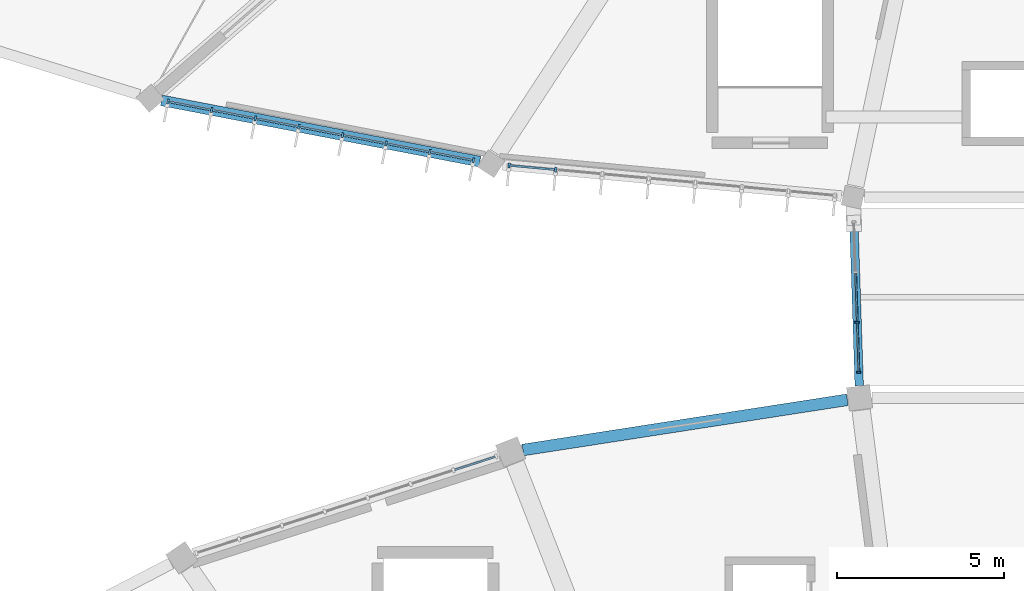
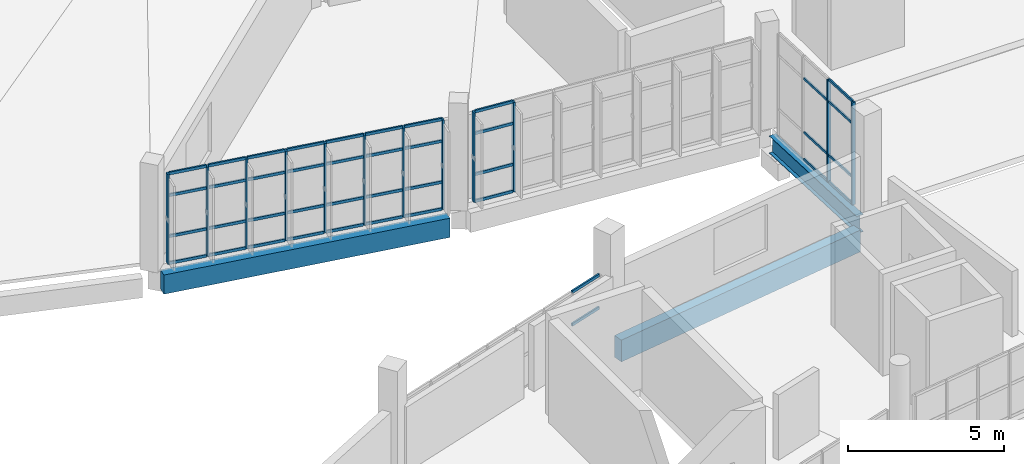
# One storey, part 30 of 142: 53 members, 3 beams, 4 elements without a shape of their own.
"""IFC4 building model written with IfcOpenShell, lengths in metres."""

from ifc_helpers import new_model, si_unit, direction, frame, origin, origin_2d, place, context, subcontext, project, spatial, rectangle, i_section, extrude, material, layer, layer_set, material_profile, profile_set, type_object, element, aggregate, save


model = new_model("IFC4")

# Units and contexts
model_context = context("Model", 3, precision=1e-05, world=origin(), true_north=direction((0.0, 1.0)))
body_context = subcontext(model_context, "Body", "Model", "MODEL_VIEW")
ifc_project = project(units=[si_unit("LENGTHUNIT", "METRE"), si_unit("AREAUNIT", "SQUARE_METRE"), si_unit("VOLUMEUNIT", "CUBIC_METRE"), si_unit("PLANEANGLEUNIT", "RADIAN"), si_unit("MASSUNIT", "GRAM", prefix="KILO")], contexts=[model_context])

# Site, building, storey
site_placement = place(None, origin())
site = spatial("IfcSite", under=ifc_project, at=site_placement, CompositionType="ELEMENT")
building_placement = place(site_placement, origin())
building = spatial("IfcBuilding", under=site, at=building_placement, Name="Corvandel Quay Wholesale Market", CompositionType="ELEMENT")
storey_placement = place(building_placement, frame((0.0, 0.0, 10.800048828125)))
storey = spatial("IfcBuildingStorey", under=building, at=storey_placement, Name="L02", CompositionType="ELEMENT", Elevation=10.800048828125)

# Beam
ifc_material_1 = material(Name="Steel A992 Grade 50", Category="steel")
ifc_material_profile_1 = material_profile(ifc_material_1, i_section(OverallWidth=0.25390625, OverallDepth=0.68310546875, WebThickness=0.012451171875, FlangeThickness=0.018798828125, at=origin_2d()), Name="W27X94")
ifc_profile_set_1 = profile_set([ifc_material_profile_1], Name="Steel A992 Grade 50")
beam_type_1 = type_object("IfcBeamType", Name="Bridge Link Steel Girder SG01 W27X94", PredefinedType="USERDEFINED", material=ifc_profile_set_1)
beam_1_placement = place(storey_placement, frame((108.6689453125, 84.36474609375, -0.5615234375), z_axis=(-0.032808515394, 0.999461655752, 0.0), x_axis=(-0.999461655752, -0.032808515394, 0.0)))
element("IfcBeam", 1, at=beam_1_placement, inside=storey, type_object=beam_type_1, Name="Beam BM-1767", ObjectType="GIRDER", PredefinedType="USERDEFINED", context=body_context, shape_type="SweptSolid", body=[
    extrude(i_section(OverallWidth=0.25390625, OverallDepth=0.68310546875, WebThickness=0.012451171875, FlangeThickness=0.018798828125, at=origin_2d()), origin(), (0.0, 0.0, 1.0), 5.29833984375),
])

# Curtain wall, members
ifc_material_2 = material(Name="Bronze anodised aluminium and low-E insulated glazing", Category="aluminium")
ifc_layer_1 = layer(ifc_material_2, 0.18603515625)
ifc_layer_set_1 = layer_set([ifc_layer_1], Name="Bronze anodised aluminium and low-E insulated glazing")
curtain_wall_type_1 = type_object("IfcCurtainWallType", Name="Stick Curtain Wall System CW23 H5070", PredefinedType="NOTDEFINED", material=ifc_layer_set_1)
curtain_wall_1_placement = place(storey_placement, origin())
curtain_wall_1 = element("IfcCurtainWall", 2, at=curtain_wall_1_placement, inside=storey, type_object=curtain_wall_type_1, Name="Curtain Wall CW-0170", PredefinedType="NOTDEFINED")
ifc_material_3 = material(Name="Anodised aluminium 6063-T6", Category="aluminium")
ifc_material_profile_2 = material_profile(ifc_material_3, rectangle(XDim=0.06005859375, YDim=0.1298828125, at=origin_2d()), Name="ALU-MUL-60x130")
ifc_profile_set_2 = profile_set([ifc_material_profile_2], Name="Anodised aluminium 6063-T6")
member_type_1 = type_object("IfcMemberType", Name="Clerestory Mullion ML03 60x130", PredefinedType="MULLION", material=ifc_profile_set_2)
member_1_placement = place(storey_placement, frame((108.656005859375, 84.7646484375, -0.030029296875), z_axis=(0.0, 0.0, 1.0), x_axis=(-0.032806302436, 0.999461728392, 0.0)))
member_1 = element("IfcMember", 3, at=member_1_placement, type_object=member_type_1, Name="Mullion CW-0170-M00", PredefinedType="MULLION", context=body_context, shape_type="SweptSolid", body=[
    extrude(rectangle(XDim=0.06005859375, YDim=0.1298828125, at=origin_2d()), origin(), (0.0, 0.0, 1.0), 4.0),
])
member_2_placement = place(storey_placement, frame((108.606689453125, 86.26318359375, -0.030029296875), z_axis=(0.0, 0.0, 1.0), x_axis=(-0.032806302436, 0.999461728392, 0.0)))
member_2 = element("IfcMember", 4, at=member_2_placement, type_object=member_type_1, Name="Mullion CW-0170-M01", PredefinedType="MULLION", context=body_context, shape_type="SweptSolid", body=[
    extrude(rectangle(XDim=0.06005859375, YDim=0.1298828125, at=origin_2d()), origin(), (0.0, 0.0, 1.0), 4.0),
])
ifc_material_profile_3 = material_profile(ifc_material_3, rectangle(XDim=0.054931640625, YDim=0.094970703125, at=origin_2d()), Name="ALU-TRN-55x95")
ifc_profile_set_3 = profile_set([ifc_material_profile_3], Name="Anodised aluminium 6063-T6")
member_type_2 = type_object("IfcMemberType", Name="Clerestory Transom TR03 55x95", PredefinedType="USERDEFINED", material=ifc_profile_set_3)
member_3_placement = place(storey_placement, frame((108.65478515625, 84.794677734375, -0.030029296875), z_axis=(-0.032738720515, 0.999463944412, 0.0), x_axis=(-0.999463944412, -0.032738720515, 0.0)))
member_3 = element("IfcMember", 5, at=member_3_placement, type_object=member_type_2, Name="Transom CW-0170-T00-0", ObjectType="TRANSOM", PredefinedType="USERDEFINED", context=body_context, shape_type="SweptSolid", body=[
    extrude(rectangle(XDim=0.054931640625, YDim=0.094970703125, at=origin_2d()), origin(), (0.0, 0.0, 1.0), 1.439208984375),
])
member_4_placement = place(storey_placement, frame((108.65478515625, 84.794677734375, 1.02001953125), z_axis=(-0.032738720515, 0.999463944412, 0.0), x_axis=(-0.999463944412, -0.032738720515, 0.0)))
member_4 = element("IfcMember", 6, at=member_4_placement, type_object=member_type_2, Name="Transom CW-0170-T00-1", ObjectType="TRANSOM", PredefinedType="USERDEFINED", context=body_context, shape_type="SweptSolid", body=[
    extrude(rectangle(XDim=0.054931640625, YDim=0.094970703125, at=origin_2d()), origin(), (0.0, 0.0, 1.0), 1.439208984375),
])
member_5_placement = place(storey_placement, frame((108.65478515625, 84.794677734375, 3.119873046875), z_axis=(-0.032738720515, 0.999463944412, 0.0), x_axis=(-0.999463944412, -0.032738720515, 0.0)))
member_5 = element("IfcMember", 7, at=member_5_placement, type_object=member_type_2, Name="Transom CW-0170-T00-2", ObjectType="TRANSOM", PredefinedType="USERDEFINED", context=body_context, shape_type="SweptSolid", body=[
    extrude(rectangle(XDim=0.054931640625, YDim=0.094970703125, at=origin_2d()), origin(), (0.0, 0.0, 1.0), 1.439208984375),
])
member_6_placement = place(storey_placement, frame((108.65478515625, 84.794677734375, 3.969970703125), z_axis=(-0.032738720515, 0.999463944412, 0.0), x_axis=(-0.999463944412, -0.032738720515, 0.0)))
member_6 = element("IfcMember", 8, at=member_6_placement, type_object=member_type_2, Name="Transom CW-0170-T00-3", ObjectType="TRANSOM", PredefinedType="USERDEFINED", context=body_context, shape_type="SweptSolid", body=[
    extrude(rectangle(XDim=0.054931640625, YDim=0.094970703125, at=origin_2d()), origin(), (0.0, 0.0, 1.0), 1.439208984375),
])
member_7_placement = place(storey_placement, frame((108.605712890625, 86.293212890625, -0.030029296875), z_axis=(-0.032738720515, 0.999463944412, 0.0), x_axis=(-0.999463944412, -0.032738720515, 0.0)))
member_7 = element("IfcMember", 9, at=member_7_placement, type_object=member_type_2, Name="Transom CW-0170-T01-0", ObjectType="TRANSOM", PredefinedType="USERDEFINED", context=body_context, shape_type="SweptSolid", body=[
    extrude(rectangle(XDim=0.054931640625, YDim=0.094970703125, at=origin_2d()), origin(), (0.0, 0.0, 1.0), 1.439208984375),
])
member_8_placement = place(storey_placement, frame((108.605712890625, 86.293212890625, 1.02001953125), z_axis=(-0.032738720515, 0.999463944412, 0.0), x_axis=(-0.999463944412, -0.032738720515, 0.0)))
member_8 = element("IfcMember", 10, at=member_8_placement, type_object=member_type_2, Name="Transom CW-0170-T01-1", ObjectType="TRANSOM", PredefinedType="USERDEFINED", context=body_context, shape_type="SweptSolid", body=[
    extrude(rectangle(XDim=0.054931640625, YDim=0.094970703125, at=origin_2d()), origin(), (0.0, 0.0, 1.0), 1.439208984375),
])
member_9_placement = place(storey_placement, frame((108.605712890625, 86.293212890625, 3.119873046875), z_axis=(-0.032738720515, 0.999463944412, 0.0), x_axis=(-0.999463944412, -0.032738720515, 0.0)))
member_9 = element("IfcMember", 11, at=member_9_placement, type_object=member_type_2, Name="Transom CW-0170-T01-2", ObjectType="TRANSOM", PredefinedType="USERDEFINED", context=body_context, shape_type="SweptSolid", body=[
    extrude(rectangle(XDim=0.054931640625, YDim=0.094970703125, at=origin_2d()), origin(), (0.0, 0.0, 1.0), 1.439208984375),
])
aggregate(curtain_wall_1, [member_1, member_2, member_3, member_4, member_5, member_6, member_7, member_8, member_9])

ifc_layer_2 = layer(ifc_material_2, 0.197998046875)
ifc_layer_set_2 = layer_set([ifc_layer_2], Name="Bronze anodised aluminium and low-E insulated glazing")
curtain_wall_type_2 = type_object("IfcCurtainWallType", Name="Stick Curtain Wall System CW04 H3360", PredefinedType="NOTDEFINED", material=ifc_layer_set_2)
curtain_wall_2_placement = place(storey_placement, origin())
curtain_wall_2 = element("IfcCurtainWall", 12, at=curtain_wall_2_placement, inside=storey, type_object=curtain_wall_type_2, Name="Curtain Wall CW-0110", PredefinedType="NOTDEFINED")
ifc_material_profile_4 = material_profile(ifc_material_3, rectangle(XDim=0.06494140625, YDim=0.14990234375, at=origin_2d()), Name="ALU-MUL-65x150")
ifc_profile_set_4 = profile_set([ifc_material_profile_4], Name="Anodised aluminium 6063-T6")
member_type_3 = type_object("IfcMemberType", Name="Curtain Wall Mullion ML02 65x150", PredefinedType="MULLION", material=ifc_profile_set_4)
member_10_placement = place(storey_placement, frame((88.00439453125, 92.85693359375, 0.0), z_axis=(0.0, 0.0, 1.0), x_axis=(-0.981991701121, 0.188924055984, 0.0)))
member_10 = element("IfcMember", 13, at=member_10_placement, type_object=member_type_3, Name="Mullion CW-0110-M00", PredefinedType="MULLION", context=body_context, shape_type="SweptSolid", body=[
    extrude(rectangle(XDim=0.06494140625, YDim=0.14990234375, at=origin_2d()), origin(), (0.0, 0.0, 1.0), 3.5),
])
member_11_placement = place(storey_placement, frame((89.30859375, 92.606201171875, 0.0), z_axis=(0.0, 0.0, 1.0), x_axis=(-0.981991701121, 0.188924055984, 0.0)))
member_11 = element("IfcMember", 14, at=member_11_placement, type_object=member_type_3, Name="Mullion CW-0110-M01", PredefinedType="MULLION", context=body_context, shape_type="SweptSolid", body=[
    extrude(rectangle(XDim=0.06494140625, YDim=0.14990234375, at=origin_2d()), origin(), (0.0, 0.0, 1.0), 3.5),
])
member_12_placement = place(storey_placement, frame((90.613037109375, 92.355224609375, 0.0), z_axis=(0.0, 0.0, 1.0), x_axis=(-0.981991701121, 0.188924055984, 0.0)))
member_12 = element("IfcMember", 15, at=member_12_placement, type_object=member_type_3, Name="Mullion CW-0110-M02", PredefinedType="MULLION", context=body_context, shape_type="SweptSolid", body=[
    extrude(rectangle(XDim=0.06494140625, YDim=0.14990234375, at=origin_2d()), origin(), (0.0, 0.0, 1.0), 3.5),
])
member_13_placement = place(storey_placement, frame((91.917236328125, 92.1044921875, 0.0), z_axis=(0.0, 0.0, 1.0), x_axis=(-0.981991701121, 0.188924055984, 0.0)))
member_13 = element("IfcMember", 16, at=member_13_placement, type_object=member_type_3, Name="Mullion CW-0110-M03", PredefinedType="MULLION", context=body_context, shape_type="SweptSolid", body=[
    extrude(rectangle(XDim=0.06494140625, YDim=0.14990234375, at=origin_2d()), origin(), (0.0, 0.0, 1.0), 3.5),
])
member_14_placement = place(storey_placement, frame((93.2216796875, 91.853515625, 0.0), z_axis=(0.0, 0.0, 1.0), x_axis=(-0.981991701121, 0.188924055984, 0.0)))
member_14 = element("IfcMember", 17, at=member_14_placement, type_object=member_type_3, Name="Mullion CW-0110-M04", PredefinedType="MULLION", context=body_context, shape_type="SweptSolid", body=[
    extrude(rectangle(XDim=0.06494140625, YDim=0.14990234375, at=origin_2d()), origin(), (0.0, 0.0, 1.0), 3.5),
])
member_15_placement = place(storey_placement, frame((94.52587890625, 91.602783203125, 0.0), z_axis=(0.0, 0.0, 1.0), x_axis=(-0.981991701121, 0.188924055984, 0.0)))
member_15 = element("IfcMember", 18, at=member_15_placement, type_object=member_type_3, Name="Mullion CW-0110-M05", PredefinedType="MULLION", context=body_context, shape_type="SweptSolid", body=[
    extrude(rectangle(XDim=0.06494140625, YDim=0.14990234375, at=origin_2d()), origin(), (0.0, 0.0, 1.0), 3.5),
])
member_16_placement = place(storey_placement, frame((95.830322265625, 91.351806640625, 0.0), z_axis=(0.0, 0.0, 1.0), x_axis=(-0.981991701121, 0.188924055984, 0.0)))
member_16 = element("IfcMember", 19, at=member_16_placement, type_object=member_type_3, Name="Mullion CW-0110-M06", PredefinedType="MULLION", context=body_context, shape_type="SweptSolid", body=[
    extrude(rectangle(XDim=0.06494140625, YDim=0.14990234375, at=origin_2d()), origin(), (0.0, 0.0, 1.0), 3.5),
])
member_17_placement = place(storey_placement, frame((97.134765625, 91.10107421875, 0.0), z_axis=(0.0, 0.0, 1.0), x_axis=(-0.981991701121, 0.188924055984, 0.0)))
member_17 = element("IfcMember", 20, at=member_17_placement, type_object=member_type_3, Name="Mullion CW-0110-M07", PredefinedType="MULLION", context=body_context, shape_type="SweptSolid", body=[
    extrude(rectangle(XDim=0.06494140625, YDim=0.14990234375, at=origin_2d()), origin(), (0.0, 0.0, 1.0), 3.5),
])

ifc_layer_3 = layer(ifc_material_2, 0.14990234375)
ifc_layer_set_3 = layer_set([ifc_layer_3], Name="Bronze anodised aluminium and low-E insulated glazing")
curtain_wall_type_3 = type_object("IfcCurtainWallType", Name="Stick Curtain Wall System CW05 H3450", PredefinedType="NOTDEFINED", material=ifc_layer_set_3)
curtain_wall_3_placement = place(storey_placement, origin())
curtain_wall_3 = element("IfcCurtainWall", 21, at=curtain_wall_3_placement, inside=storey, type_object=curtain_wall_type_3, Name="Curtain Wall CW-0113", PredefinedType="NOTDEFINED")
member_18_placement = place(storey_placement, frame((98.20263671875, 90.94921875, 0.0), z_axis=(0.0, 0.0, 1.0), x_axis=(-0.995756880939, 0.092023008338, 0.0)))
member_18 = element("IfcMember", 22, at=member_18_placement, type_object=member_type_3, Name="Mullion CW-0113-M00", PredefinedType="MULLION", context=body_context, shape_type="SweptSolid", body=[
    extrude(rectangle(XDim=0.06494140625, YDim=0.14990234375, at=origin_2d()), origin(), (0.0, 0.0, 1.0), 3.5),
])
member_19_placement = place(storey_placement, frame((99.594482421875, 90.82080078125, 0.0), z_axis=(0.0, 0.0, 1.0), x_axis=(-0.995756880939, 0.092023008338, 0.0)))
member_19 = element("IfcMember", 23, at=member_19_placement, type_object=member_type_3, Name="Mullion CW-0113-M01", PredefinedType="MULLION", context=body_context, shape_type="SweptSolid", body=[
    extrude(rectangle(XDim=0.06494140625, YDim=0.14990234375, at=origin_2d()), origin(), (0.0, 0.0, 1.0), 3.5),
])

ifc_layer_4 = layer(ifc_material_2, 0.18603515625)
ifc_layer_set_4 = layer_set([ifc_layer_4], Name="Bronze anodised aluminium and low-E insulated glazing")
curtain_wall_type_4 = type_object("IfcCurtainWallType", Name="Stick Curtain Wall System CW18 H4620", PredefinedType="NOTDEFINED", material=ifc_layer_set_4)
curtain_wall_4_placement = place(storey_placement, origin())
curtain_wall_4 = element("IfcCurtainWall", 24, at=curtain_wall_4_placement, inside=storey, type_object=curtain_wall_type_4, Name="Curtain Wall CW-0027", PredefinedType="NOTDEFINED")
ifc_material_profile_5 = material_profile(ifc_material_3, rectangle(XDim=0.06005859375, YDim=0.110107421875, at=origin_2d()), Name="ALU-TRN-60x110")
ifc_profile_set_5 = profile_set([ifc_material_profile_5], Name="Anodised aluminium 6063-T6")
member_type_4 = type_object("IfcMemberType", Name="Curtain Wall Transom TR02 60x110", PredefinedType="USERDEFINED", material=ifc_profile_set_5)
member_20_placement = place(storey_placement, frame((97.789794921875, 82.238037109375, 1.27490234375), z_axis=(-0.951853962221, -0.30655184652, 0.0), x_axis=(0.30655184652, -0.951853962221, 0.0)))
member_20 = element("IfcMember", 25, at=member_20_placement, type_object=member_type_4, Name="Transom CW-0027-T00-1", ObjectType="TRANSOM", PredefinedType="USERDEFINED", context=body_context, shape_type="SweptSolid", body=[
    extrude(rectangle(XDim=0.06005859375, YDim=0.110107421875, at=origin_2d()), origin(), (0.0, 0.0, 1.0), 1.281494140625),
])
member_21_placement = place(storey_placement, frame((97.789794921875, 82.238037109375, 2.550048828125), z_axis=(-0.951853962221, -0.30655184652, 0.0), x_axis=(0.30655184652, -0.951853962221, 0.0)))
member_21 = element("IfcMember", 26, at=member_21_placement, type_object=member_type_4, Name="Transom CW-0027-T00-2", ObjectType="TRANSOM", PredefinedType="USERDEFINED", context=body_context, shape_type="SweptSolid", body=[
    extrude(rectangle(XDim=0.06005859375, YDim=0.110107421875, at=origin_2d()), origin(), (0.0, 0.0, 1.0), 1.281494140625),
])
aggregate(curtain_wall_4, [member_20, member_21])

# Member
member_22_placement = place(storey_placement, frame((88.0361328125, 92.850830078125, 0.0), z_axis=(0.982010582361, -0.188825888401, 0.0), x_axis=(0.188825888401, 0.982010582361, 0.0)))
member_22 = element("IfcMember", 27, at=member_22_placement, type_object=member_type_4, Name="Transom CW-0110-T00-0", ObjectType="TRANSOM", PredefinedType="USERDEFINED", context=body_context, shape_type="SweptSolid", body=[
    extrude(rectangle(XDim=0.06005859375, YDim=0.110107421875, at=origin_2d()), origin(), (0.0, 0.0, 1.0), 1.26318359375),
])

member_23_placement = place(storey_placement, frame((88.0361328125, 92.850830078125, 1.050048828125), z_axis=(0.982010582361, -0.188825888401, 0.0), x_axis=(0.188825888401, 0.982010582361, 0.0)))
member_23 = element("IfcMember", 28, at=member_23_placement, type_object=member_type_4, Name="Transom CW-0110-T00-1", ObjectType="TRANSOM", PredefinedType="USERDEFINED", context=body_context, shape_type="SweptSolid", body=[
    extrude(rectangle(XDim=0.06005859375, YDim=0.110107421875, at=origin_2d()), origin(), (0.0, 0.0, 1.0), 1.26318359375),
])

member_24_placement = place(storey_placement, frame((88.0361328125, 92.850830078125, 2.64990234375), z_axis=(0.982010582361, -0.188825888401, 0.0), x_axis=(0.188825888401, 0.982010582361, 0.0)))
member_24 = element("IfcMember", 29, at=member_24_placement, type_object=member_type_4, Name="Transom CW-0110-T00-2", ObjectType="TRANSOM", PredefinedType="USERDEFINED", context=body_context, shape_type="SweptSolid", body=[
    extrude(rectangle(XDim=0.06005859375, YDim=0.110107421875, at=origin_2d()), origin(), (0.0, 0.0, 1.0), 1.26318359375),
])

member_25_placement = place(storey_placement, frame((88.0361328125, 92.850830078125, 3.5), z_axis=(0.982010582361, -0.188825888401, 0.0), x_axis=(0.188825888401, 0.982010582361, 0.0)))
member_25 = element("IfcMember", 30, at=member_25_placement, type_object=member_type_4, Name="Transom CW-0110-T00-3", ObjectType="TRANSOM", PredefinedType="USERDEFINED", context=body_context, shape_type="SweptSolid", body=[
    extrude(rectangle(XDim=0.06005859375, YDim=0.110107421875, at=origin_2d()), origin(), (0.0, 0.0, 1.0), 1.26318359375),
])

member_26_placement = place(storey_placement, frame((89.340576171875, 92.60009765625, 0.0), z_axis=(0.981974727909, -0.189012258196, 0.0), x_axis=(0.189012258196, 0.981974727909, 0.0)))
member_26 = element("IfcMember", 31, at=member_26_placement, type_object=member_type_4, Name="Transom CW-0110-T01-0", ObjectType="TRANSOM", PredefinedType="USERDEFINED", context=body_context, shape_type="SweptSolid", body=[
    extrude(rectangle(XDim=0.06005859375, YDim=0.110107421875, at=origin_2d()), origin(), (0.0, 0.0, 1.0), 1.26318359375),
])

member_27_placement = place(storey_placement, frame((89.340576171875, 92.60009765625, 1.050048828125), z_axis=(0.981974727909, -0.189012258196, 0.0), x_axis=(0.189012258196, 0.981974727909, 0.0)))
member_27 = element("IfcMember", 32, at=member_27_placement, type_object=member_type_4, Name="Transom CW-0110-T01-1", ObjectType="TRANSOM", PredefinedType="USERDEFINED", context=body_context, shape_type="SweptSolid", body=[
    extrude(rectangle(XDim=0.06005859375, YDim=0.110107421875, at=origin_2d()), origin(), (0.0, 0.0, 1.0), 1.26318359375),
])

member_28_placement = place(storey_placement, frame((89.340576171875, 92.60009765625, 2.64990234375), z_axis=(0.981974727909, -0.189012258196, 0.0), x_axis=(0.189012258196, 0.981974727909, 0.0)))
member_28 = element("IfcMember", 33, at=member_28_placement, type_object=member_type_4, Name="Transom CW-0110-T01-2", ObjectType="TRANSOM", PredefinedType="USERDEFINED", context=body_context, shape_type="SweptSolid", body=[
    extrude(rectangle(XDim=0.06005859375, YDim=0.110107421875, at=origin_2d()), origin(), (0.0, 0.0, 1.0), 1.26318359375),
])

member_29_placement = place(storey_placement, frame((89.340576171875, 92.60009765625, 3.5), z_axis=(0.981974727909, -0.189012258196, 0.0), x_axis=(0.189012258196, 0.981974727909, 0.0)))
member_29 = element("IfcMember", 34, at=member_29_placement, type_object=member_type_4, Name="Transom CW-0110-T01-3", ObjectType="TRANSOM", PredefinedType="USERDEFINED", context=body_context, shape_type="SweptSolid", body=[
    extrude(rectangle(XDim=0.06005859375, YDim=0.110107421875, at=origin_2d()), origin(), (0.0, 0.0, 1.0), 1.26318359375),
])

member_30_placement = place(storey_placement, frame((90.64501953125, 92.34912109375, 0.0), z_axis=(0.982010582361, -0.188825888401, 0.0), x_axis=(0.188825888401, 0.982010582361, 0.0)))
member_30 = element("IfcMember", 35, at=member_30_placement, type_object=member_type_4, Name="Transom CW-0110-T02-0", ObjectType="TRANSOM", PredefinedType="USERDEFINED", context=body_context, shape_type="SweptSolid", body=[
    extrude(rectangle(XDim=0.06005859375, YDim=0.110107421875, at=origin_2d()), origin(), (0.0, 0.0, 1.0), 1.26318359375),
])

member_31_placement = place(storey_placement, frame((90.64501953125, 92.34912109375, 1.050048828125), z_axis=(0.982010582361, -0.188825888401, 0.0), x_axis=(0.188825888401, 0.982010582361, 0.0)))
member_31 = element("IfcMember", 36, at=member_31_placement, type_object=member_type_4, Name="Transom CW-0110-T02-1", ObjectType="TRANSOM", PredefinedType="USERDEFINED", context=body_context, shape_type="SweptSolid", body=[
    extrude(rectangle(XDim=0.06005859375, YDim=0.110107421875, at=origin_2d()), origin(), (0.0, 0.0, 1.0), 1.26318359375),
])

member_32_placement = place(storey_placement, frame((90.64501953125, 92.34912109375, 2.64990234375), z_axis=(0.982010582361, -0.188825888401, 0.0), x_axis=(0.188825888401, 0.982010582361, 0.0)))
member_32 = element("IfcMember", 37, at=member_32_placement, type_object=member_type_4, Name="Transom CW-0110-T02-2", ObjectType="TRANSOM", PredefinedType="USERDEFINED", context=body_context, shape_type="SweptSolid", body=[
    extrude(rectangle(XDim=0.06005859375, YDim=0.110107421875, at=origin_2d()), origin(), (0.0, 0.0, 1.0), 1.26318359375),
])

member_33_placement = place(storey_placement, frame((90.64501953125, 92.34912109375, 3.5), z_axis=(0.982010582361, -0.188825888401, 0.0), x_axis=(0.188825888401, 0.982010582361, 0.0)))
member_33 = element("IfcMember", 38, at=member_33_placement, type_object=member_type_4, Name="Transom CW-0110-T02-3", ObjectType="TRANSOM", PredefinedType="USERDEFINED", context=body_context, shape_type="SweptSolid", body=[
    extrude(rectangle(XDim=0.06005859375, YDim=0.110107421875, at=origin_2d()), origin(), (0.0, 0.0, 1.0), 1.26318359375),
])

member_34_placement = place(storey_placement, frame((91.94921875, 92.098388671875, 0.0), z_axis=(0.981974727909, -0.189012258196, 0.0), x_axis=(0.189012258196, 0.981974727909, 0.0)))
member_34 = element("IfcMember", 39, at=member_34_placement, type_object=member_type_4, Name="Transom CW-0110-T03-0", ObjectType="TRANSOM", PredefinedType="USERDEFINED", context=body_context, shape_type="SweptSolid", body=[
    extrude(rectangle(XDim=0.06005859375, YDim=0.110107421875, at=origin_2d()), origin(), (0.0, 0.0, 1.0), 1.26318359375),
])

member_35_placement = place(storey_placement, frame((91.94921875, 92.098388671875, 1.050048828125), z_axis=(0.981974727909, -0.189012258196, 0.0), x_axis=(0.189012258196, 0.981974727909, 0.0)))
member_35 = element("IfcMember", 40, at=member_35_placement, type_object=member_type_4, Name="Transom CW-0110-T03-1", ObjectType="TRANSOM", PredefinedType="USERDEFINED", context=body_context, shape_type="SweptSolid", body=[
    extrude(rectangle(XDim=0.06005859375, YDim=0.110107421875, at=origin_2d()), origin(), (0.0, 0.0, 1.0), 1.26318359375),
])

member_36_placement = place(storey_placement, frame((91.94921875, 92.098388671875, 2.64990234375), z_axis=(0.981974727909, -0.189012258196, 0.0), x_axis=(0.189012258196, 0.981974727909, 0.0)))
member_36 = element("IfcMember", 41, at=member_36_placement, type_object=member_type_4, Name="Transom CW-0110-T03-2", ObjectType="TRANSOM", PredefinedType="USERDEFINED", context=body_context, shape_type="SweptSolid", body=[
    extrude(rectangle(XDim=0.06005859375, YDim=0.110107421875, at=origin_2d()), origin(), (0.0, 0.0, 1.0), 1.26318359375),
])

member_37_placement = place(storey_placement, frame((91.94921875, 92.098388671875, 3.5), z_axis=(0.981974727909, -0.189012258196, 0.0), x_axis=(0.189012258196, 0.981974727909, 0.0)))
member_37 = element("IfcMember", 42, at=member_37_placement, type_object=member_type_4, Name="Transom CW-0110-T03-3", ObjectType="TRANSOM", PredefinedType="USERDEFINED", context=body_context, shape_type="SweptSolid", body=[
    extrude(rectangle(XDim=0.06005859375, YDim=0.110107421875, at=origin_2d()), origin(), (0.0, 0.0, 1.0), 1.26318359375),
])

member_38_placement = place(storey_placement, frame((93.253662109375, 91.847412109375, 0.0), z_axis=(0.982010582361, -0.188825888401, 0.0), x_axis=(0.188825888401, 0.982010582361, 0.0)))
member_38 = element("IfcMember", 43, at=member_38_placement, type_object=member_type_4, Name="Transom CW-0110-T04-0", ObjectType="TRANSOM", PredefinedType="USERDEFINED", context=body_context, shape_type="SweptSolid", body=[
    extrude(rectangle(XDim=0.06005859375, YDim=0.110107421875, at=origin_2d()), origin(), (0.0, 0.0, 1.0), 1.26318359375),
])

member_39_placement = place(storey_placement, frame((93.253662109375, 91.847412109375, 1.050048828125), z_axis=(0.982010582361, -0.188825888401, 0.0), x_axis=(0.188825888401, 0.982010582361, 0.0)))
member_39 = element("IfcMember", 44, at=member_39_placement, type_object=member_type_4, Name="Transom CW-0110-T04-1", ObjectType="TRANSOM", PredefinedType="USERDEFINED", context=body_context, shape_type="SweptSolid", body=[
    extrude(rectangle(XDim=0.06005859375, YDim=0.110107421875, at=origin_2d()), origin(), (0.0, 0.0, 1.0), 1.26318359375),
])

member_40_placement = place(storey_placement, frame((93.253662109375, 91.847412109375, 2.64990234375), z_axis=(0.982010582361, -0.188825888401, 0.0), x_axis=(0.188825888401, 0.982010582361, 0.0)))
member_40 = element("IfcMember", 45, at=member_40_placement, type_object=member_type_4, Name="Transom CW-0110-T04-2", ObjectType="TRANSOM", PredefinedType="USERDEFINED", context=body_context, shape_type="SweptSolid", body=[
    extrude(rectangle(XDim=0.06005859375, YDim=0.110107421875, at=origin_2d()), origin(), (0.0, 0.0, 1.0), 1.26318359375),
])

member_41_placement = place(storey_placement, frame((93.253662109375, 91.847412109375, 3.5), z_axis=(0.982010582361, -0.188825888401, 0.0), x_axis=(0.188825888401, 0.982010582361, 0.0)))
member_41 = element("IfcMember", 46, at=member_41_placement, type_object=member_type_4, Name="Transom CW-0110-T04-3", ObjectType="TRANSOM", PredefinedType="USERDEFINED", context=body_context, shape_type="SweptSolid", body=[
    extrude(rectangle(XDim=0.06005859375, YDim=0.110107421875, at=origin_2d()), origin(), (0.0, 0.0, 1.0), 1.26318359375),
])

member_42_placement = place(storey_placement, frame((94.557861328125, 91.5966796875, 0.0), z_axis=(0.981974727909, -0.189012258196, 0.0), x_axis=(0.189012258196, 0.981974727909, 0.0)))
member_42 = element("IfcMember", 47, at=member_42_placement, type_object=member_type_4, Name="Transom CW-0110-T05-0", ObjectType="TRANSOM", PredefinedType="USERDEFINED", context=body_context, shape_type="SweptSolid", body=[
    extrude(rectangle(XDim=0.06005859375, YDim=0.110107421875, at=origin_2d()), origin(), (0.0, 0.0, 1.0), 1.26318359375),
])

member_43_placement = place(storey_placement, frame((94.557861328125, 91.5966796875, 1.050048828125), z_axis=(0.981974727909, -0.189012258196, 0.0), x_axis=(0.189012258196, 0.981974727909, 0.0)))
member_43 = element("IfcMember", 48, at=member_43_placement, type_object=member_type_4, Name="Transom CW-0110-T05-1", ObjectType="TRANSOM", PredefinedType="USERDEFINED", context=body_context, shape_type="SweptSolid", body=[
    extrude(rectangle(XDim=0.06005859375, YDim=0.110107421875, at=origin_2d()), origin(), (0.0, 0.0, 1.0), 1.26318359375),
])

member_44_placement = place(storey_placement, frame((94.557861328125, 91.5966796875, 2.64990234375), z_axis=(0.981974727909, -0.189012258196, 0.0), x_axis=(0.189012258196, 0.981974727909, 0.0)))
member_44 = element("IfcMember", 49, at=member_44_placement, type_object=member_type_4, Name="Transom CW-0110-T05-2", ObjectType="TRANSOM", PredefinedType="USERDEFINED", context=body_context, shape_type="SweptSolid", body=[
    extrude(rectangle(XDim=0.06005859375, YDim=0.110107421875, at=origin_2d()), origin(), (0.0, 0.0, 1.0), 1.26318359375),
])

member_45_placement = place(storey_placement, frame((94.557861328125, 91.5966796875, 3.5), z_axis=(0.981974727909, -0.189012258196, 0.0), x_axis=(0.189012258196, 0.981974727909, 0.0)))
member_45 = element("IfcMember", 50, at=member_45_placement, type_object=member_type_4, Name="Transom CW-0110-T05-3", ObjectType="TRANSOM", PredefinedType="USERDEFINED", context=body_context, shape_type="SweptSolid", body=[
    extrude(rectangle(XDim=0.06005859375, YDim=0.110107421875, at=origin_2d()), origin(), (0.0, 0.0, 1.0), 1.26318359375),
])

member_46_placement = place(storey_placement, frame((95.8623046875, 91.345703125, 0.0), z_axis=(0.982010582361, -0.188825888401, 0.0), x_axis=(0.188825888401, 0.982010582361, 0.0)))
member_46 = element("IfcMember", 51, at=member_46_placement, type_object=member_type_4, Name="Transom CW-0110-T06-0", ObjectType="TRANSOM", PredefinedType="USERDEFINED", context=body_context, shape_type="SweptSolid", body=[
    extrude(rectangle(XDim=0.06005859375, YDim=0.110107421875, at=origin_2d()), origin(), (0.0, 0.0, 1.0), 1.26318359375),
])

member_47_placement = place(storey_placement, frame((95.8623046875, 91.345703125, 1.050048828125), z_axis=(0.982010582361, -0.188825888401, 0.0), x_axis=(0.188825888401, 0.982010582361, 0.0)))
member_47 = element("IfcMember", 52, at=member_47_placement, type_object=member_type_4, Name="Transom CW-0110-T06-1", ObjectType="TRANSOM", PredefinedType="USERDEFINED", context=body_context, shape_type="SweptSolid", body=[
    extrude(rectangle(XDim=0.06005859375, YDim=0.110107421875, at=origin_2d()), origin(), (0.0, 0.0, 1.0), 1.26318359375),
])

member_48_placement = place(storey_placement, frame((95.8623046875, 91.345703125, 2.64990234375), z_axis=(0.982010582361, -0.188825888401, 0.0), x_axis=(0.188825888401, 0.982010582361, 0.0)))
member_48 = element("IfcMember", 53, at=member_48_placement, type_object=member_type_4, Name="Transom CW-0110-T06-2", ObjectType="TRANSOM", PredefinedType="USERDEFINED", context=body_context, shape_type="SweptSolid", body=[
    extrude(rectangle(XDim=0.06005859375, YDim=0.110107421875, at=origin_2d()), origin(), (0.0, 0.0, 1.0), 1.26318359375),
])

member_49_placement = place(storey_placement, frame((95.8623046875, 91.345703125, 3.5), z_axis=(0.982010582361, -0.188825888401, 0.0), x_axis=(0.188825888401, 0.982010582361, 0.0)))
member_49 = element("IfcMember", 54, at=member_49_placement, type_object=member_type_4, Name="Transom CW-0110-T06-3", ObjectType="TRANSOM", PredefinedType="USERDEFINED", context=body_context, shape_type="SweptSolid", body=[
    extrude(rectangle(XDim=0.06005859375, YDim=0.110107421875, at=origin_2d()), origin(), (0.0, 0.0, 1.0), 1.26318359375),
])

aggregate(curtain_wall_2, [member_10, member_11, member_12, member_13, member_14, member_15, member_16, member_17, member_22, member_23, member_24, member_25, member_26, member_27, member_28, member_29, member_30, member_31, member_32, member_33, member_34, member_35, member_36, member_37, member_38, member_39, member_40, member_41, member_42, member_43, member_44, member_45, member_46, member_47, member_48, member_49])

member_50_placement = place(storey_placement, frame((98.235107421875, 90.9462890625, 0.0), z_axis=(0.99576306711, -0.091956044829, 0.0), x_axis=(0.091956044829, 0.99576306711, 0.0)))
member_50 = element("IfcMember", 55, at=member_50_placement, type_object=member_type_4, Name="Transom CW-0113-T00-0", ObjectType="TRANSOM", PredefinedType="USERDEFINED", context=body_context, shape_type="SweptSolid", body=[
    extrude(rectangle(XDim=0.06005859375, YDim=0.110107421875, at=origin_2d()), origin(), (0.0, 0.0, 1.0), 1.332763671875),
])

member_51_placement = place(storey_placement, frame((98.235107421875, 90.9462890625, 1.050048828125), z_axis=(0.99576306711, -0.091956044829, 0.0), x_axis=(0.091956044829, 0.99576306711, 0.0)))
member_51 = element("IfcMember", 56, at=member_51_placement, type_object=member_type_4, Name="Transom CW-0113-T00-1", ObjectType="TRANSOM", PredefinedType="USERDEFINED", context=body_context, shape_type="SweptSolid", body=[
    extrude(rectangle(XDim=0.06005859375, YDim=0.110107421875, at=origin_2d()), origin(), (0.0, 0.0, 1.0), 1.332763671875),
])

member_52_placement = place(storey_placement, frame((98.235107421875, 90.9462890625, 2.64990234375), z_axis=(0.99576306711, -0.091956044829, 0.0), x_axis=(0.091956044829, 0.99576306711, 0.0)))
member_52 = element("IfcMember", 57, at=member_52_placement, type_object=member_type_4, Name="Transom CW-0113-T00-2", ObjectType="TRANSOM", PredefinedType="USERDEFINED", context=body_context, shape_type="SweptSolid", body=[
    extrude(rectangle(XDim=0.06005859375, YDim=0.110107421875, at=origin_2d()), origin(), (0.0, 0.0, 1.0), 1.332763671875),
])

member_53_placement = place(storey_placement, frame((98.235107421875, 90.9462890625, 3.5), z_axis=(0.99576306711, -0.091956044829, 0.0), x_axis=(0.091956044829, 0.99576306711, 0.0)))
member_53 = element("IfcMember", 58, at=member_53_placement, type_object=member_type_4, Name="Transom CW-0113-T00-3", ObjectType="TRANSOM", PredefinedType="USERDEFINED", context=body_context, shape_type="SweptSolid", body=[
    extrude(rectangle(XDim=0.06005859375, YDim=0.110107421875, at=origin_2d()), origin(), (0.0, 0.0, 1.0), 1.332763671875),
])

aggregate(curtain_wall_3, [member_18, member_19, member_50, member_51, member_52, member_53])

# Beams
ifc_material_4 = material(Name="Precast concrete C45/55", Category="concrete")
ifc_material_profile_6 = material_profile(ifc_material_4, rectangle(XDim=0.320068359375, YDim=0.75, at=origin_2d()), Name="PC-SPN-320x750")
ifc_profile_set_6 = profile_set([ifc_material_profile_6], Name="Precast concrete C45/55")
beam_type_2 = type_object("IfcBeamType", Name="Pavilion Precast Spandrel SP02 320x750", PredefinedType="SPANDREL", material=ifc_profile_set_6)
beam_2_placement = place(storey_placement, frame((87.812744140625, 92.893798828125, -0.695068359375), z_axis=(0.982004829196, -0.188855805938, 0.0), x_axis=(0.188855805938, 0.982004829196, 0.0)))
element("IfcBeam", 59, at=beam_2_placement, inside=storey, type_object=beam_type_2, Name="Beam BM-0671", PredefinedType="SPANDREL", context=body_context, shape_type="SweptSolid", body=[
    extrude(rectangle(XDim=0.320068359375, YDim=0.75, at=origin_2d()), origin(), (0.0, 0.0, 1.0), 9.687744140625),
])
ifc_material_profile_7 = material_profile(ifc_material_4, rectangle(XDim=0.35009765625, YDim=0.85009765625, at=origin_2d()), Name="PC-SPN-350x850")
ifc_profile_set_7 = profile_set([ifc_material_profile_7], Name="Precast concrete C45/55")
beam_type_3 = type_object("IfcBeamType", Name="Perimeter Precast Spandrel SP01 350x850", PredefinedType="SPANDREL", material=ifc_profile_set_7)
beam_3_placement = place(storey_placement, frame((108.3154296875, 83.943359375, -0.7451171875), z_axis=(-0.988244555633, -0.152881320838, 0.0), x_axis=(0.152881320838, -0.988244555633, 0.0)))
element("IfcBeam", 60, at=beam_3_placement, inside=storey, type_object=beam_type_3, Name="Beam BM-0108", PredefinedType="SPANDREL", context=body_context, shape_type="SweptSolid", body=[
    extrude(rectangle(XDim=0.35009765625, YDim=0.85009765625, at=origin_2d()), origin(), (0.0, 0.0, 1.0), 9.81640625),
])

save(model, "model.ifc")
